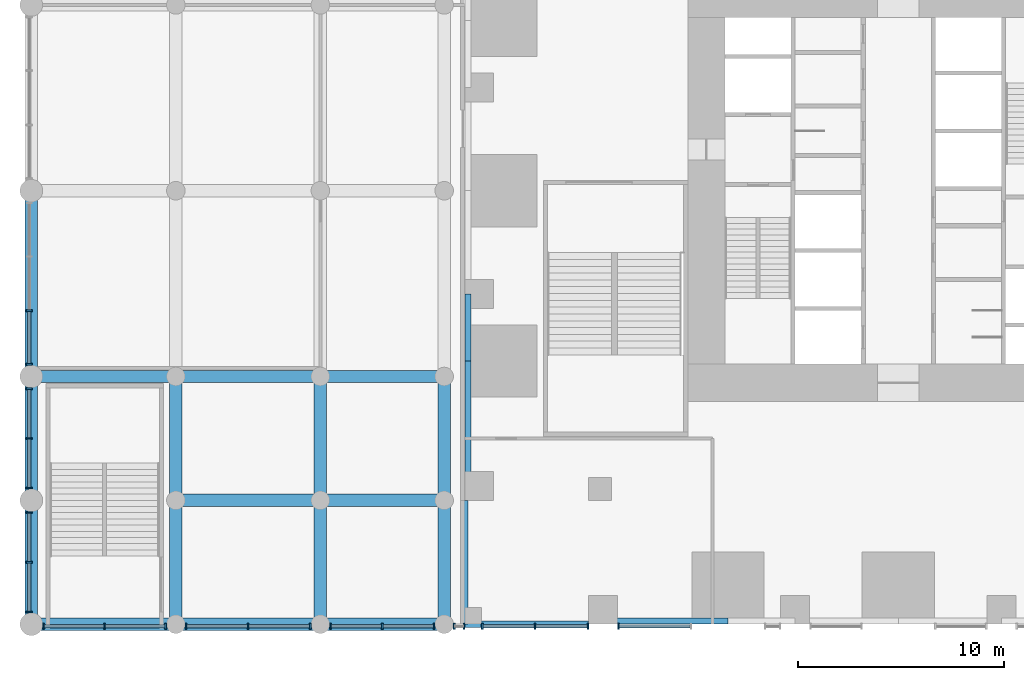
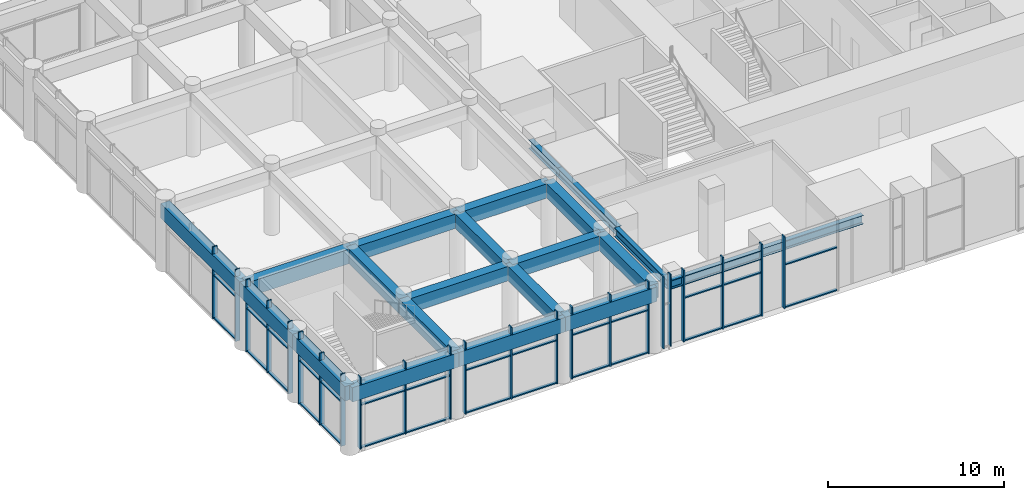
# One storey, part 2 of 23: 51 members, 22 beams, 9 elements without a shape of their own.
"""IFC4 building model written with IfcOpenShell, lengths in metres."""

from ifc_helpers import new_model, si_unit, direction, frame, origin, origin_2d, place, context, subcontext, project, spatial, rectangle, i_section, extrude, material, material_profile, profile_set, type_object, element, aggregate, save


model = new_model("IFC4")

# Units and contexts
model_context = context("Model", 3, precision=1e-05, world=origin(), true_north=direction((0.0, 1.0)))
body_context = subcontext(model_context, "Body", "Model", "MODEL_VIEW")
ifc_project = project(units=[si_unit("LENGTHUNIT", "METRE"), si_unit("AREAUNIT", "SQUARE_METRE"), si_unit("VOLUMEUNIT", "CUBIC_METRE"), si_unit("PLANEANGLEUNIT", "RADIAN"), si_unit("MASSUNIT", "GRAM", prefix="KILO")], contexts=[model_context])

# Site, building, storey
site_placement = place(None, origin())
site = spatial("IfcSite", under=ifc_project, at=site_placement, CompositionType="ELEMENT")
building_placement = place(site_placement, origin())
building = spatial("IfcBuilding", under=site, at=building_placement, Name="Svetlomir Tower", CompositionType="ELEMENT")
storey_placement = place(building_placement, frame((0.0, 0.0, 6.0)))
storey = spatial("IfcBuildingStorey", under=building, at=storey_placement, Name="L01", CompositionType="ELEMENT", Elevation=6.0)

# Curtain wall, members
ifc_material_1 = material(Name="Bronze anodised aluminium curtain wall", Category="aluminium")
curtain_wall_type = type_object("IfcCurtainWallType", Name="CURTAIN WALL CW5 PODIUM", PredefinedType="NOTDEFINED", material=ifc_material_1)
curtain_wall_1_placement = place(storey_placement, origin())
curtain_wall_1 = element("IfcCurtainWall", 1, at=curtain_wall_1_placement, inside=storey, type_object=curtain_wall_type, Name="Curtain wall CW5 L01", PredefinedType="NOTDEFINED")
ifc_material_2 = material(Name="Bronze anodised aluminium", Category="aluminium")
ifc_material_profile_1 = material_profile(ifc_material_2, rectangle(XDim=0.080078125, YDim=0.300048828125, at=origin_2d()), Name="AL 80x300")
ifc_profile_set_1 = profile_set([ifc_material_profile_1], Name="Bronze anodised aluminium 6063-T6")
member_type_1 = type_object("IfcMemberType", Name="CW5 MULLION 80x300", PredefinedType="MULLION", material=ifc_profile_set_1)
member_1_placement = place(storey_placement, frame((-20.409912109375, -0.10009765625, 0.0), z_axis=(0.0, 0.0, 1.0), x_axis=(1.0, 0.0, 0.0)))
member_1 = element("IfcMember", 2, at=member_1_placement, type_object=member_type_1, Name="CW5 mullion 1", PredefinedType="MULLION", context=body_context, shape_type="SweptSolid", body=[
    extrude(rectangle(XDim=0.080078125, YDim=0.300048828125, at=origin_2d()), origin(), (0.0, 0.0, 1.0), 5.0),
])
member_2_placement = place(storey_placement, frame((-17.449951171875, -0.10009765625, 0.0), z_axis=(0.0, 0.0, 1.0), x_axis=(1.0, 0.0, 0.0)))
member_2 = element("IfcMember", 3, at=member_2_placement, type_object=member_type_1, Name="CW5 mullion 2", PredefinedType="MULLION", context=body_context, shape_type="SweptSolid", body=[
    extrude(rectangle(XDim=0.080078125, YDim=0.300048828125, at=origin_2d()), origin(), (0.0, 0.0, 1.0), 5.0),
])
member_3_placement = place(storey_placement, frame((-14.489990234375, -0.10009765625, 0.0), z_axis=(0.0, 0.0, 1.0), x_axis=(1.0, 0.0, 0.0)))
member_3 = element("IfcMember", 4, at=member_3_placement, type_object=member_type_1, Name="CW5 mullion 3", PredefinedType="MULLION", context=body_context, shape_type="SweptSolid", body=[
    extrude(rectangle(XDim=0.080078125, YDim=0.300048828125, at=origin_2d()), origin(), (0.0, 0.0, 1.0), 5.0),
])

curtain_wall_2_placement = place(storey_placement, origin())
curtain_wall_2 = element("IfcCurtainWall", 5, at=curtain_wall_2_placement, inside=storey, type_object=curtain_wall_type, Name="Curtain wall CW5 L01", PredefinedType="NOTDEFINED")
member_4_placement = place(storey_placement, frame((-13.510009765625, -0.10009765625, 0.0), z_axis=(0.0, 0.0, 1.0), x_axis=(1.0, 0.0, 0.0)))
member_4 = element("IfcMember", 6, at=member_4_placement, type_object=member_type_1, Name="CW5 mullion 1", PredefinedType="MULLION", context=body_context, shape_type="SweptSolid", body=[
    extrude(rectangle(XDim=0.080078125, YDim=0.300048828125, at=origin_2d()), origin(), (0.0, 0.0, 1.0), 5.0),
])
member_5_placement = place(storey_placement, frame((-10.5, -0.10009765625, 0.0), z_axis=(0.0, 0.0, 1.0), x_axis=(1.0, 0.0, 0.0)))
member_5 = element("IfcMember", 7, at=member_5_placement, type_object=member_type_1, Name="CW5 mullion 2", PredefinedType="MULLION", context=body_context, shape_type="SweptSolid", body=[
    extrude(rectangle(XDim=0.080078125, YDim=0.300048828125, at=origin_2d()), origin(), (0.0, 0.0, 1.0), 5.0),
])
member_6_placement = place(storey_placement, frame((-7.489990234375, -0.10009765625, 0.0), z_axis=(0.0, 0.0, 1.0), x_axis=(1.0, 0.0, 0.0)))
member_6 = element("IfcMember", 8, at=member_6_placement, type_object=member_type_1, Name="CW5 mullion 3", PredefinedType="MULLION", context=body_context, shape_type="SweptSolid", body=[
    extrude(rectangle(XDim=0.080078125, YDim=0.300048828125, at=origin_2d()), origin(), (0.0, 0.0, 1.0), 5.0),
])

curtain_wall_3_placement = place(storey_placement, origin())
curtain_wall_3 = element("IfcCurtainWall", 9, at=curtain_wall_3_placement, inside=storey, type_object=curtain_wall_type, Name="Curtain wall CW5 L01", PredefinedType="NOTDEFINED")
member_7_placement = place(storey_placement, frame((-6.510009765625, -0.10009765625, 0.0), z_axis=(0.0, 0.0, 1.0), x_axis=(1.0, 0.0, 0.0)))
member_7 = element("IfcMember", 10, at=member_7_placement, type_object=member_type_1, Name="CW5 mullion 1", PredefinedType="MULLION", context=body_context, shape_type="SweptSolid", body=[
    extrude(rectangle(XDim=0.080078125, YDim=0.300048828125, at=origin_2d()), origin(), (0.0, 0.0, 1.0), 5.0),
])
member_8_placement = place(storey_placement, frame((-4.0, -0.10009765625, 0.0), z_axis=(0.0, 0.0, 1.0), x_axis=(1.0, 0.0, 0.0)))
member_8 = element("IfcMember", 11, at=member_8_placement, type_object=member_type_1, Name="CW5 mullion 2", PredefinedType="MULLION", context=body_context, shape_type="SweptSolid", body=[
    extrude(rectangle(XDim=0.080078125, YDim=0.300048828125, at=origin_2d()), origin(), (0.0, 0.0, 1.0), 5.0),
])
member_9_placement = place(storey_placement, frame((-1.489990234375, -0.10009765625, 0.0), z_axis=(0.0, 0.0, 1.0), x_axis=(1.0, 0.0, 0.0)))
member_9 = element("IfcMember", 12, at=member_9_placement, type_object=member_type_1, Name="CW5 mullion 3", PredefinedType="MULLION", context=body_context, shape_type="SweptSolid", body=[
    extrude(rectangle(XDim=0.080078125, YDim=0.300048828125, at=origin_2d()), origin(), (0.0, 0.0, 1.0), 5.0),
])

curtain_wall_4_placement = place(storey_placement, origin())
curtain_wall_4 = element("IfcCurtainWall", 13, at=curtain_wall_4_placement, inside=storey, type_object=curtain_wall_type, Name="Curtain wall CW5 L01", PredefinedType="NOTDEFINED")
member_10_placement = place(storey_placement, frame((-0.510009765625, -0.10009765625, 0.0), z_axis=(0.0, 0.0, 1.0), x_axis=(1.0, 0.0, 0.0)))
member_10 = element("IfcMember", 14, at=member_10_placement, type_object=member_type_1, Name="CW5 mullion 1", PredefinedType="MULLION", context=body_context, shape_type="SweptSolid", body=[
    extrude(rectangle(XDim=0.080078125, YDim=0.300048828125, at=origin_2d()), origin(), (0.0, 0.0, 1.0), 5.0),
])
member_11_placement = place(storey_placement, frame((-0.0400390625, -0.10009765625, 0.0), z_axis=(0.0, 0.0, 1.0), x_axis=(1.0, 0.0, 0.0)))
member_11 = element("IfcMember", 15, at=member_11_placement, type_object=member_type_1, Name="CW5 mullion 2", PredefinedType="MULLION", context=body_context, shape_type="SweptSolid", body=[
    extrude(rectangle(XDim=0.080078125, YDim=0.300048828125, at=origin_2d()), origin(), (0.0, 0.0, 1.0), 5.0),
])
aggregate(curtain_wall_4, [member_10, member_11])

curtain_wall_5_placement = place(storey_placement, origin())
curtain_wall_5 = element("IfcCurtainWall", 16, at=curtain_wall_5_placement, inside=storey, type_object=curtain_wall_type, Name="Curtain wall CW5 L01", PredefinedType="NOTDEFINED")
member_12_placement = place(storey_placement, frame((0.840087890625, -0.10009765625, 0.0), z_axis=(0.0, 0.0, 1.0), x_axis=(1.0, 0.0, 0.0)))
member_12 = element("IfcMember", 17, at=member_12_placement, type_object=member_type_1, Name="CW5 mullion 1", PredefinedType="MULLION", context=body_context, shape_type="SweptSolid", body=[
    extrude(rectangle(XDim=0.080078125, YDim=0.300048828125, at=origin_2d()), origin(), (0.0, 0.0, 1.0), 5.0),
])
member_13_placement = place(storey_placement, frame((3.39990234375, -0.10009765625, 0.0), z_axis=(0.0, 0.0, 1.0), x_axis=(1.0, 0.0, 0.0)))
member_13 = element("IfcMember", 18, at=member_13_placement, type_object=member_type_1, Name="CW5 mullion 2", PredefinedType="MULLION", context=body_context, shape_type="SweptSolid", body=[
    extrude(rectangle(XDim=0.080078125, YDim=0.300048828125, at=origin_2d()), origin(), (0.0, 0.0, 1.0), 5.0),
])
member_14_placement = place(storey_placement, frame((5.9599609375, -0.10009765625, 0.0), z_axis=(0.0, 0.0, 1.0), x_axis=(1.0, 0.0, 0.0)))
member_14 = element("IfcMember", 19, at=member_14_placement, type_object=member_type_1, Name="CW5 mullion 3", PredefinedType="MULLION", context=body_context, shape_type="SweptSolid", body=[
    extrude(rectangle(XDim=0.080078125, YDim=0.300048828125, at=origin_2d()), origin(), (0.0, 0.0, 1.0), 5.0),
])

# Curtain wall, member
curtain_wall_6_placement = place(storey_placement, origin())
curtain_wall_6 = element("IfcCurtainWall", 20, at=curtain_wall_6_placement, inside=storey, type_object=curtain_wall_type, Name="Curtain wall CW5 L01", PredefinedType="NOTDEFINED")
member_15_placement = place(storey_placement, frame((7.43994140625, -0.10009765625, 0.0), z_axis=(0.0, 0.0, 1.0), x_axis=(1.0, 0.0, 0.0)))
member_15 = element("IfcMember", 21, at=member_15_placement, type_object=member_type_1, Name="CW5 mullion 1", PredefinedType="MULLION", context=body_context, shape_type="SweptSolid", body=[
    extrude(rectangle(XDim=0.080078125, YDim=0.300048828125, at=origin_2d()), origin(), (0.0, 0.0, 1.0), 5.0),
])

# Curtain wall, members
curtain_wall_7_placement = place(storey_placement, origin())
curtain_wall_7 = element("IfcCurtainWall", 22, at=curtain_wall_7_placement, inside=storey, type_object=curtain_wall_type, Name="Curtain wall CW5 L01", PredefinedType="NOTDEFINED")
member_16_placement = place(storey_placement, frame((-21.10009765625, 15.183349609375, 0.0), z_axis=(0.0, 0.0, 1.0), x_axis=(0.0, -1.0, 0.0)))
member_16 = element("IfcMember", 23, at=member_16_placement, type_object=member_type_1, Name="CW5 mullion 3", PredefinedType="MULLION", context=body_context, shape_type="SweptSolid", body=[
    extrude(rectangle(XDim=0.080078125, YDim=0.300048828125, at=origin_2d()), origin(), (0.0, 0.0, 1.0), 5.0),
])
member_17_placement = place(storey_placement, frame((-21.10009765625, 12.590087890625, 0.0), z_axis=(0.0, 0.0, 1.0), x_axis=(0.0, -1.0, 0.0)))
member_17 = element("IfcMember", 24, at=member_17_placement, type_object=member_type_1, Name="CW5 mullion 4", PredefinedType="MULLION", context=body_context, shape_type="SweptSolid", body=[
    extrude(rectangle(XDim=0.080078125, YDim=0.300048828125, at=origin_2d()), origin(), (0.0, 0.0, 1.0), 5.0),
])

curtain_wall_8_placement = place(storey_placement, origin())
curtain_wall_8 = element("IfcCurtainWall", 25, at=curtain_wall_8_placement, inside=storey, type_object=curtain_wall_type, Name="Curtain wall CW5 L01", PredefinedType="NOTDEFINED")
member_18_placement = place(storey_placement, frame((-21.10009765625, 11.409912109375, 0.0), z_axis=(0.0, 0.0, 1.0), x_axis=(0.0, -1.0, 0.0)))
member_18 = element("IfcMember", 26, at=member_18_placement, type_object=member_type_1, Name="CW5 mullion 1", PredefinedType="MULLION", context=body_context, shape_type="SweptSolid", body=[
    extrude(rectangle(XDim=0.080078125, YDim=0.300048828125, at=origin_2d()), origin(), (0.0, 0.0, 1.0), 5.0),
])
member_19_placement = place(storey_placement, frame((-21.10009765625, 9.0, 0.0), z_axis=(0.0, 0.0, 1.0), x_axis=(0.0, -1.0, 0.0)))
member_19 = element("IfcMember", 27, at=member_19_placement, type_object=member_type_1, Name="CW5 mullion 2", PredefinedType="MULLION", context=body_context, shape_type="SweptSolid", body=[
    extrude(rectangle(XDim=0.080078125, YDim=0.300048828125, at=origin_2d()), origin(), (0.0, 0.0, 1.0), 5.0),
])
member_20_placement = place(storey_placement, frame((-21.10009765625, 6.590087890625, 0.0), z_axis=(0.0, 0.0, 1.0), x_axis=(0.0, -1.0, 0.0)))
member_20 = element("IfcMember", 28, at=member_20_placement, type_object=member_type_1, Name="CW5 mullion 3", PredefinedType="MULLION", context=body_context, shape_type="SweptSolid", body=[
    extrude(rectangle(XDim=0.080078125, YDim=0.300048828125, at=origin_2d()), origin(), (0.0, 0.0, 1.0), 5.0),
])

curtain_wall_9_placement = place(storey_placement, origin())
curtain_wall_9 = element("IfcCurtainWall", 29, at=curtain_wall_9_placement, inside=storey, type_object=curtain_wall_type, Name="Curtain wall CW5 L01", PredefinedType="NOTDEFINED")
member_21_placement = place(storey_placement, frame((-21.10009765625, 5.409912109375, 0.0), z_axis=(0.0, 0.0, 1.0), x_axis=(0.0, -1.0, 0.0)))
member_21 = element("IfcMember", 30, at=member_21_placement, type_object=member_type_1, Name="CW5 mullion 1", PredefinedType="MULLION", context=body_context, shape_type="SweptSolid", body=[
    extrude(rectangle(XDim=0.080078125, YDim=0.300048828125, at=origin_2d()), origin(), (0.0, 0.0, 1.0), 5.0),
])
member_22_placement = place(storey_placement, frame((-21.10009765625, 3.0, 0.0), z_axis=(0.0, 0.0, 1.0), x_axis=(0.0, -1.0, 0.0)))
member_22 = element("IfcMember", 31, at=member_22_placement, type_object=member_type_1, Name="CW5 mullion 2", PredefinedType="MULLION", context=body_context, shape_type="SweptSolid", body=[
    extrude(rectangle(XDim=0.080078125, YDim=0.300048828125, at=origin_2d()), origin(), (0.0, 0.0, 1.0), 5.0),
])
member_23_placement = place(storey_placement, frame((-21.10009765625, 0.590087890625, 0.0), z_axis=(0.0, 0.0, 1.0), x_axis=(0.0, -1.0, 0.0)))
member_23 = element("IfcMember", 32, at=member_23_placement, type_object=member_type_1, Name="CW5 mullion 3", PredefinedType="MULLION", context=body_context, shape_type="SweptSolid", body=[
    extrude(rectangle(XDim=0.080078125, YDim=0.300048828125, at=origin_2d()), origin(), (0.0, 0.0, 1.0), 5.0),
])

# Member
ifc_material_3 = material(Name="Bronze anodised aluminium", Category="aluminium")
ifc_material_profile_2 = material_profile(ifc_material_3, rectangle(XDim=0.179931640625, YDim=0.080078125, at=origin_2d()), Name="AL 180x80")
ifc_profile_set_2 = profile_set([ifc_material_profile_2], Name="Bronze anodised aluminium 6063-T6")
member_type_2 = type_object("IfcMemberType", Name="CW5 TRANSOM 80x180", PredefinedType="USERDEFINED", material=ifc_profile_set_2)
member_24_placement = place(storey_placement, frame((-20.3701171875, -0.10009765625, 0.0400390625), z_axis=(1.0, 0.0, 0.0), x_axis=(0.0, 1.0, 0.0)))
member_24 = element("IfcMember", 33, at=member_24_placement, type_object=member_type_2, Name="CW5 transom 1.1", ObjectType="TRANSOM", PredefinedType="USERDEFINED", context=body_context, shape_type="SweptSolid", body=[
    extrude(rectangle(XDim=0.179931640625, YDim=0.080078125, at=origin_2d()), origin(), (0.0, 0.0, 1.0), 2.880126953125),
])

member_25_placement = place(storey_placement, frame((-20.3701171875, -0.10009765625, 3.0), z_axis=(1.0, 0.0, 0.0), x_axis=(0.0, 1.0, 0.0)))
member_25 = element("IfcMember", 34, at=member_25_placement, type_object=member_type_2, Name="CW5 transom 1.2", ObjectType="TRANSOM", PredefinedType="USERDEFINED", context=body_context, shape_type="SweptSolid", body=[
    extrude(rectangle(XDim=0.179931640625, YDim=0.080078125, at=origin_2d()), origin(), (0.0, 0.0, 1.0), 2.880126953125),
])

member_26_placement = place(storey_placement, frame((-17.409912109375, -0.10009765625, 0.0400390625), z_axis=(1.0, 0.0, 0.0), x_axis=(0.0, 1.0, 0.0)))
member_26 = element("IfcMember", 35, at=member_26_placement, type_object=member_type_2, Name="CW5 transom 2.1", ObjectType="TRANSOM", PredefinedType="USERDEFINED", context=body_context, shape_type="SweptSolid", body=[
    extrude(rectangle(XDim=0.179931640625, YDim=0.080078125, at=origin_2d()), origin(), (0.0, 0.0, 1.0), 2.8798828125),
])

member_27_placement = place(storey_placement, frame((-17.409912109375, -0.10009765625, 3.0), z_axis=(1.0, 0.0, 0.0), x_axis=(0.0, 1.0, 0.0)))
member_27 = element("IfcMember", 36, at=member_27_placement, type_object=member_type_2, Name="CW5 transom 2.2", ObjectType="TRANSOM", PredefinedType="USERDEFINED", context=body_context, shape_type="SweptSolid", body=[
    extrude(rectangle(XDim=0.179931640625, YDim=0.080078125, at=origin_2d()), origin(), (0.0, 0.0, 1.0), 2.8798828125),
])

aggregate(curtain_wall_1, [member_1, member_2, member_3, member_24, member_25, member_26, member_27])

member_28_placement = place(storey_placement, frame((-13.469970703125, -0.10009765625, 0.0400390625), z_axis=(1.0, 0.0, 0.0), x_axis=(0.0, 1.0, 0.0)))
member_28 = element("IfcMember", 37, at=member_28_placement, type_object=member_type_2, Name="CW5 transom 1.1", ObjectType="TRANSOM", PredefinedType="USERDEFINED", context=body_context, shape_type="SweptSolid", body=[
    extrude(rectangle(XDim=0.179931640625, YDim=0.080078125, at=origin_2d()), origin(), (0.0, 0.0, 1.0), 2.929931640625),
])

member_29_placement = place(storey_placement, frame((-13.469970703125, -0.10009765625, 3.0), z_axis=(1.0, 0.0, 0.0), x_axis=(0.0, 1.0, 0.0)))
member_29 = element("IfcMember", 38, at=member_29_placement, type_object=member_type_2, Name="CW5 transom 1.2", ObjectType="TRANSOM", PredefinedType="USERDEFINED", context=body_context, shape_type="SweptSolid", body=[
    extrude(rectangle(XDim=0.179931640625, YDim=0.080078125, at=origin_2d()), origin(), (0.0, 0.0, 1.0), 2.929931640625),
])

member_30_placement = place(storey_placement, frame((-10.4599609375, -0.10009765625, 0.0400390625), z_axis=(1.0, 0.0, 0.0), x_axis=(0.0, 1.0, 0.0)))
member_30 = element("IfcMember", 39, at=member_30_placement, type_object=member_type_2, Name="CW5 transom 2.1", ObjectType="TRANSOM", PredefinedType="USERDEFINED", context=body_context, shape_type="SweptSolid", body=[
    extrude(rectangle(XDim=0.179931640625, YDim=0.080078125, at=origin_2d()), origin(), (0.0, 0.0, 1.0), 2.929931640625),
])

member_31_placement = place(storey_placement, frame((-10.4599609375, -0.10009765625, 3.0), z_axis=(1.0, 0.0, 0.0), x_axis=(0.0, 1.0, 0.0)))
member_31 = element("IfcMember", 40, at=member_31_placement, type_object=member_type_2, Name="CW5 transom 2.2", ObjectType="TRANSOM", PredefinedType="USERDEFINED", context=body_context, shape_type="SweptSolid", body=[
    extrude(rectangle(XDim=0.179931640625, YDim=0.080078125, at=origin_2d()), origin(), (0.0, 0.0, 1.0), 2.929931640625),
])

aggregate(curtain_wall_2, [member_4, member_5, member_6, member_28, member_29, member_30, member_31])

member_32_placement = place(storey_placement, frame((-6.469970703125, -0.10009765625, 0.0400390625), z_axis=(1.0, 0.0, 0.0), x_axis=(0.0, 1.0, 0.0)))
member_32 = element("IfcMember", 41, at=member_32_placement, type_object=member_type_2, Name="CW5 transom 1.1", ObjectType="TRANSOM", PredefinedType="USERDEFINED", context=body_context, shape_type="SweptSolid", body=[
    extrude(rectangle(XDim=0.179931640625, YDim=0.080078125, at=origin_2d()), origin(), (0.0, 0.0, 1.0), 2.429931640625),
])

member_33_placement = place(storey_placement, frame((-6.469970703125, -0.10009765625, 3.0), z_axis=(1.0, 0.0, 0.0), x_axis=(0.0, 1.0, 0.0)))
member_33 = element("IfcMember", 42, at=member_33_placement, type_object=member_type_2, Name="CW5 transom 1.2", ObjectType="TRANSOM", PredefinedType="USERDEFINED", context=body_context, shape_type="SweptSolid", body=[
    extrude(rectangle(XDim=0.179931640625, YDim=0.080078125, at=origin_2d()), origin(), (0.0, 0.0, 1.0), 2.429931640625),
])

member_34_placement = place(storey_placement, frame((-3.9599609375, -0.10009765625, 0.0400390625), z_axis=(1.0, 0.0, 0.0), x_axis=(0.0, 1.0, 0.0)))
member_34 = element("IfcMember", 43, at=member_34_placement, type_object=member_type_2, Name="CW5 transom 2.1", ObjectType="TRANSOM", PredefinedType="USERDEFINED", context=body_context, shape_type="SweptSolid", body=[
    extrude(rectangle(XDim=0.179931640625, YDim=0.080078125, at=origin_2d()), origin(), (0.0, 0.0, 1.0), 2.429931640625),
])

member_35_placement = place(storey_placement, frame((-3.9599609375, -0.10009765625, 3.0), z_axis=(1.0, 0.0, 0.0), x_axis=(0.0, 1.0, 0.0)))
member_35 = element("IfcMember", 44, at=member_35_placement, type_object=member_type_2, Name="CW5 transom 2.2", ObjectType="TRANSOM", PredefinedType="USERDEFINED", context=body_context, shape_type="SweptSolid", body=[
    extrude(rectangle(XDim=0.179931640625, YDim=0.080078125, at=origin_2d()), origin(), (0.0, 0.0, 1.0), 2.429931640625),
])

aggregate(curtain_wall_3, [member_7, member_8, member_9, member_32, member_33, member_34, member_35])

member_36_placement = place(storey_placement, frame((0.8798828125, -0.10009765625, 0.0400390625), z_axis=(1.0, 0.0, 0.0), x_axis=(0.0, 1.0, 0.0)))
member_36 = element("IfcMember", 45, at=member_36_placement, type_object=member_type_2, Name="CW5 transom 1.1", ObjectType="TRANSOM", PredefinedType="USERDEFINED", context=body_context, shape_type="SweptSolid", body=[
    extrude(rectangle(XDim=0.179931640625, YDim=0.080078125, at=origin_2d()), origin(), (0.0, 0.0, 1.0), 2.480224609375),
])

member_37_placement = place(storey_placement, frame((0.8798828125, -0.10009765625, 3.0), z_axis=(1.0, 0.0, 0.0), x_axis=(0.0, 1.0, 0.0)))
member_37 = element("IfcMember", 46, at=member_37_placement, type_object=member_type_2, Name="CW5 transom 1.2", ObjectType="TRANSOM", PredefinedType="USERDEFINED", context=body_context, shape_type="SweptSolid", body=[
    extrude(rectangle(XDim=0.179931640625, YDim=0.080078125, at=origin_2d()), origin(), (0.0, 0.0, 1.0), 2.480224609375),
])

member_38_placement = place(storey_placement, frame((3.43994140625, -0.10009765625, 0.0400390625), z_axis=(1.0, 0.0, 0.0), x_axis=(0.0, 1.0, 0.0)))
member_38 = element("IfcMember", 47, at=member_38_placement, type_object=member_type_2, Name="CW5 transom 2.1", ObjectType="TRANSOM", PredefinedType="USERDEFINED", context=body_context, shape_type="SweptSolid", body=[
    extrude(rectangle(XDim=0.179931640625, YDim=0.080078125, at=origin_2d()), origin(), (0.0, 0.0, 1.0), 2.47998046875),
])

member_39_placement = place(storey_placement, frame((3.43994140625, -0.10009765625, 3.0), z_axis=(1.0, 0.0, 0.0), x_axis=(0.0, 1.0, 0.0)))
member_39 = element("IfcMember", 48, at=member_39_placement, type_object=member_type_2, Name="CW5 transom 2.2", ObjectType="TRANSOM", PredefinedType="USERDEFINED", context=body_context, shape_type="SweptSolid", body=[
    extrude(rectangle(XDim=0.179931640625, YDim=0.080078125, at=origin_2d()), origin(), (0.0, 0.0, 1.0), 2.47998046875),
])

aggregate(curtain_wall_5, [member_12, member_13, member_14, member_36, member_37, member_38, member_39])

member_40_placement = place(storey_placement, frame((7.47998046875, -0.10009765625, 0.0400390625), z_axis=(1.0, 0.0, 0.0), x_axis=(0.0, 1.0, 0.0)))
member_40 = element("IfcMember", 49, at=member_40_placement, type_object=member_type_2, Name="CW5 transom 1.1", ObjectType="TRANSOM", PredefinedType="USERDEFINED", context=body_context, shape_type="SweptSolid", body=[
    extrude(rectangle(XDim=0.179931640625, YDim=0.080078125, at=origin_2d()), origin(), (0.0, 0.0, 1.0), 3.43994140625),
])

member_41_placement = place(storey_placement, frame((7.47998046875, -0.10009765625, 3.0), z_axis=(1.0, 0.0, 0.0), x_axis=(0.0, 1.0, 0.0)))
member_41 = element("IfcMember", 50, at=member_41_placement, type_object=member_type_2, Name="CW5 transom 1.2", ObjectType="TRANSOM", PredefinedType="USERDEFINED", context=body_context, shape_type="SweptSolid", body=[
    extrude(rectangle(XDim=0.179931640625, YDim=0.080078125, at=origin_2d()), origin(), (0.0, 0.0, 1.0), 3.43994140625),
])

aggregate(curtain_wall_6, [member_15, member_40, member_41])

member_42_placement = place(storey_placement, frame((-21.10009765625, 15.143310546875, 0.0400390625), z_axis=(0.0, -1.0, 0.0), x_axis=(1.0, 0.0, 0.0)))
member_42 = element("IfcMember", 51, at=member_42_placement, type_object=member_type_2, Name="CW5 transom 3.1", ObjectType="TRANSOM", PredefinedType="USERDEFINED", context=body_context, shape_type="SweptSolid", body=[
    extrude(rectangle(XDim=0.179931640625, YDim=0.080078125, at=origin_2d()), origin(), (0.0, 0.0, 1.0), 2.513427734375),
])

member_43_placement = place(storey_placement, frame((-21.10009765625, 15.143310546875, 3.0), z_axis=(0.0, -1.0, 0.0), x_axis=(1.0, 0.0, 0.0)))
member_43 = element("IfcMember", 52, at=member_43_placement, type_object=member_type_2, Name="CW5 transom 3.2", ObjectType="TRANSOM", PredefinedType="USERDEFINED", context=body_context, shape_type="SweptSolid", body=[
    extrude(rectangle(XDim=0.179931640625, YDim=0.080078125, at=origin_2d()), origin(), (0.0, 0.0, 1.0), 2.513427734375),
])

aggregate(curtain_wall_7, [member_16, member_17, member_42, member_43])

member_44_placement = place(storey_placement, frame((-21.10009765625, 11.3701171875, 0.0400390625), z_axis=(0.0, -1.0, 0.0), x_axis=(1.0, 0.0, 0.0)))
member_44 = element("IfcMember", 53, at=member_44_placement, type_object=member_type_2, Name="CW5 transom 1.1", ObjectType="TRANSOM", PredefinedType="USERDEFINED", context=body_context, shape_type="SweptSolid", body=[
    extrude(rectangle(XDim=0.179931640625, YDim=0.080078125, at=origin_2d()), origin(), (0.0, 0.0, 1.0), 2.330078125),
])

member_45_placement = place(storey_placement, frame((-21.10009765625, 11.3701171875, 3.0), z_axis=(0.0, -1.0, 0.0), x_axis=(1.0, 0.0, 0.0)))
member_45 = element("IfcMember", 54, at=member_45_placement, type_object=member_type_2, Name="CW5 transom 1.2", ObjectType="TRANSOM", PredefinedType="USERDEFINED", context=body_context, shape_type="SweptSolid", body=[
    extrude(rectangle(XDim=0.179931640625, YDim=0.080078125, at=origin_2d()), origin(), (0.0, 0.0, 1.0), 2.330078125),
])

member_46_placement = place(storey_placement, frame((-21.10009765625, 8.9599609375, 0.0400390625), z_axis=(0.0, -1.0, 0.0), x_axis=(1.0, 0.0, 0.0)))
member_46 = element("IfcMember", 55, at=member_46_placement, type_object=member_type_2, Name="CW5 transom 2.1", ObjectType="TRANSOM", PredefinedType="USERDEFINED", context=body_context, shape_type="SweptSolid", body=[
    extrude(rectangle(XDim=0.179931640625, YDim=0.080078125, at=origin_2d()), origin(), (0.0, 0.0, 1.0), 2.330078125),
])

member_47_placement = place(storey_placement, frame((-21.10009765625, 8.9599609375, 3.0), z_axis=(0.0, -1.0, 0.0), x_axis=(1.0, 0.0, 0.0)))
member_47 = element("IfcMember", 56, at=member_47_placement, type_object=member_type_2, Name="CW5 transom 2.2", ObjectType="TRANSOM", PredefinedType="USERDEFINED", context=body_context, shape_type="SweptSolid", body=[
    extrude(rectangle(XDim=0.179931640625, YDim=0.080078125, at=origin_2d()), origin(), (0.0, 0.0, 1.0), 2.330078125),
])

aggregate(curtain_wall_8, [member_18, member_19, member_20, member_44, member_45, member_46, member_47])

member_48_placement = place(storey_placement, frame((-21.10009765625, 5.3701171875, 0.0400390625), z_axis=(0.0, -1.0, 0.0), x_axis=(1.0, 0.0, 0.0)))
member_48 = element("IfcMember", 57, at=member_48_placement, type_object=member_type_2, Name="CW5 transom 1.1", ObjectType="TRANSOM", PredefinedType="USERDEFINED", context=body_context, shape_type="SweptSolid", body=[
    extrude(rectangle(XDim=0.179931640625, YDim=0.080078125, at=origin_2d()), origin(), (0.0, 0.0, 1.0), 2.330078125),
])

member_49_placement = place(storey_placement, frame((-21.10009765625, 5.3701171875, 3.0), z_axis=(0.0, -1.0, 0.0), x_axis=(1.0, 0.0, 0.0)))
member_49 = element("IfcMember", 58, at=member_49_placement, type_object=member_type_2, Name="CW5 transom 1.2", ObjectType="TRANSOM", PredefinedType="USERDEFINED", context=body_context, shape_type="SweptSolid", body=[
    extrude(rectangle(XDim=0.179931640625, YDim=0.080078125, at=origin_2d()), origin(), (0.0, 0.0, 1.0), 2.330078125),
])

member_50_placement = place(storey_placement, frame((-21.10009765625, 2.9599609375, 0.0400390625), z_axis=(0.0, -1.0, 0.0), x_axis=(1.0, 0.0, 0.0)))
member_50 = element("IfcMember", 59, at=member_50_placement, type_object=member_type_2, Name="CW5 transom 2.1", ObjectType="TRANSOM", PredefinedType="USERDEFINED", context=body_context, shape_type="SweptSolid", body=[
    extrude(rectangle(XDim=0.179931640625, YDim=0.080078125, at=origin_2d()), origin(), (0.0, 0.0, 1.0), 2.330078125),
])

member_51_placement = place(storey_placement, frame((-21.10009765625, 2.9599609375, 3.0), z_axis=(0.0, -1.0, 0.0), x_axis=(1.0, 0.0, 0.0)))
member_51 = element("IfcMember", 60, at=member_51_placement, type_object=member_type_2, Name="CW5 transom 2.2", ObjectType="TRANSOM", PredefinedType="USERDEFINED", context=body_context, shape_type="SweptSolid", body=[
    extrude(rectangle(XDim=0.179931640625, YDim=0.080078125, at=origin_2d()), origin(), (0.0, 0.0, 1.0), 2.330078125),
])

aggregate(curtain_wall_9, [member_21, member_22, member_23, member_48, member_49, member_50, member_51])

# Beams
ifc_material_4 = material(Name="Concrete C60/75", Category="concrete")
ifc_material_profile_3 = material_profile(ifc_material_4, rectangle(XDim=0.60009765625, YDim=1.0, at=origin_2d()), Name="RC 600x1000")
ifc_profile_set_3 = profile_set([ifc_material_profile_3], Name="Concrete C60/75")
beam_type_1 = type_object("IfcBeamType", Name="PODIUM BEAM RC 600x1000", PredefinedType="BEAM", material=ifc_profile_set_3)
beam_1_placement = place(storey_placement, frame((-21.0, 0.0, 4.0), z_axis=(0.0, 1.0, 0.0), x_axis=(-1.0, 0.0, 0.0)))
element("IfcBeam", 61, at=beam_1_placement, inside=storey, type_object=beam_type_1, Name="Podium beam -21/0 to -21/6 under L02", PredefinedType="BEAM", context=body_context, shape_type="SweptSolid", body=[
    extrude(rectangle(XDim=0.60009765625, YDim=1.0, at=origin_2d()), origin(), (0.0, 0.0, 1.0), 6.0),
])
beam_2_placement = place(storey_placement, frame((-21.0, 0.0, 4.0), z_axis=(1.0, 0.0, 0.0), x_axis=(0.0, 1.0, 0.0)))
element("IfcBeam", 62, at=beam_2_placement, inside=storey, type_object=beam_type_1, Name="Podium beam -21/0 to -14/0 under L02", PredefinedType="BEAM", context=body_context, shape_type="SweptSolid", body=[
    extrude(rectangle(XDim=0.60009765625, YDim=1.0, at=origin_2d()), origin(), (0.0, 0.0, 1.0), 7.0),
])
beam_3_placement = place(storey_placement, frame((-21.0, 6.0, 4.0), z_axis=(0.0, 1.0, 0.0), x_axis=(-1.0, 0.0, 0.0)))
element("IfcBeam", 63, at=beam_3_placement, inside=storey, type_object=beam_type_1, Name="Podium beam -21/6 to -21/12 under L02", PredefinedType="BEAM", context=body_context, shape_type="SweptSolid", body=[
    extrude(rectangle(XDim=0.60009765625, YDim=1.0, at=origin_2d()), origin(), (0.0, 0.0, 1.0), 6.0),
])
beam_4_placement = place(storey_placement, frame((-21.0, 12.0, 4.0), z_axis=(0.0, 1.0, 0.0), x_axis=(-1.0, 0.0, 0.0)))
element("IfcBeam", 64, at=beam_4_placement, inside=storey, type_object=beam_type_1, Name="Podium beam -21/12 to -21/21 under L02", PredefinedType="BEAM", context=body_context, shape_type="SweptSolid", body=[
    extrude(rectangle(XDim=0.60009765625, YDim=1.0, at=origin_2d()), origin(), (0.0, 0.0, 1.0), 9.0),
])
beam_5_placement = place(storey_placement, frame((-21.0, 12.0, 4.0), z_axis=(1.0, 0.0, 0.0), x_axis=(0.0, 1.0, 0.0)))
element("IfcBeam", 65, at=beam_5_placement, inside=storey, type_object=beam_type_1, Name="Podium beam -21/12 to -14/12 under L02", PredefinedType="BEAM", context=body_context, shape_type="SweptSolid", body=[
    extrude(rectangle(XDim=0.60009765625, YDim=1.0, at=origin_2d()), origin(), (0.0, 0.0, 1.0), 7.0),
])
beam_6_placement = place(storey_placement, frame((-14.0, 0.0, 4.0), z_axis=(0.0, 1.0, 0.0), x_axis=(-1.0, 0.0, 0.0)))
element("IfcBeam", 66, at=beam_6_placement, inside=storey, type_object=beam_type_1, Name="Podium beam -14/0 to -14/6 under L02", PredefinedType="BEAM", context=body_context, shape_type="SweptSolid", body=[
    extrude(rectangle(XDim=0.60009765625, YDim=1.0, at=origin_2d()), origin(), (0.0, 0.0, 1.0), 6.0),
])
beam_7_placement = place(storey_placement, frame((-14.0, 0.0, 4.0), z_axis=(1.0, 0.0, 0.0), x_axis=(0.0, 1.0, 0.0)))
element("IfcBeam", 67, at=beam_7_placement, inside=storey, type_object=beam_type_1, Name="Podium beam -14/0 to -7/0 under L02", PredefinedType="BEAM", context=body_context, shape_type="SweptSolid", body=[
    extrude(rectangle(XDim=0.60009765625, YDim=1.0, at=origin_2d()), origin(), (0.0, 0.0, 1.0), 7.0),
])
beam_8_placement = place(storey_placement, frame((-14.0, 6.0, 4.0), z_axis=(0.0, 1.0, 0.0), x_axis=(-1.0, 0.0, 0.0)))
element("IfcBeam", 68, at=beam_8_placement, inside=storey, type_object=beam_type_1, Name="Podium beam -14/6 to -14/12 under L02", PredefinedType="BEAM", context=body_context, shape_type="SweptSolid", body=[
    extrude(rectangle(XDim=0.60009765625, YDim=1.0, at=origin_2d()), origin(), (0.0, 0.0, 1.0), 6.0),
])
for number, where, z_axis, x_axis, name in (
    (69, (-14.0, 6.0, 4.0), (1.0, 0.0, 0.0), (0.0, 1.0, 0.0), "Podium beam -14/6 to -7/6 under L02"),
    (70, (-14.0, 12.0, 4.0), (1.0, 0.0, 0.0), (0.0, 1.0, 0.0), "Podium beam -14/12 to -7/12 under L02"),
):
    element("IfcBeam", number, at=place(storey_placement, frame(where, z_axis=z_axis, x_axis=x_axis)), inside=storey, type_object=beam_type_1, Name=name, PredefinedType="BEAM", context=body_context, shape_type="SweptSolid", body=[
        extrude(rectangle(XDim=0.60009765625, YDim=1.0, at=origin_2d()), origin(), (0.0, 0.0, 1.0), 7.0),
    ])
for number, where, z_axis, x_axis, name in (
    (71, (-7.0, 0.0, 4.0), (0.0, 1.0, 0.0), (-1.0, 0.0, 0.0), "Podium beam -7/0 to -7/6 under L02"),
    (72, (-7.0, 0.0, 4.0), (1.0, 0.0, 0.0), (0.0, 1.0, 0.0), "Podium beam -7/0 to -1/0 under L02"),
    (73, (-7.0, 6.0, 4.0), (0.0, 1.0, 0.0), (-1.0, 0.0, 0.0), "Podium beam -7/6 to -7/12 under L02"),
    (74, (-7.0, 6.0, 4.0), (1.0, 0.0, 0.0), (0.0, 1.0, 0.0), "Podium beam -7/6 to -1/6 under L02"),
    (75, (-7.0, 12.0, 4.0), (1.0, 0.0, 0.0), (0.0, 1.0, 0.0), "Podium beam -7/12 to -1/12 under L02"),
    (76, (-1.0, 0.0, 4.0), (0.0, 1.0, 0.0), (-1.0, 0.0, 0.0), "Podium beam -1/0 to -1/6 under L02"),
    (77, (-1.0, 6.0, 4.0), (0.0, 1.0, 0.0), (-1.0, 0.0, 0.0), "Podium beam -1/6 to -1/12 under L02"),
):
    element("IfcBeam", number, at=place(storey_placement, frame(where, z_axis=z_axis, x_axis=x_axis)), inside=storey, type_object=beam_type_1, Name=name, PredefinedType="BEAM", context=body_context, shape_type="SweptSolid", body=[
        extrude(rectangle(XDim=0.60009765625, YDim=1.0, at=origin_2d()), origin(), (0.0, 0.0, 1.0), 6.0),
    ])
ifc_material_5 = material(Name="Steel S355", Category="steel")
ifc_material_profile_4 = material_profile(ifc_material_5, i_section(OverallWidth=0.304931640625, OverallDepth=0.6201171875, WebThickness=0.02099609375, FlangeThickness=0.0400390625, FilletRadius=0.027099609375, at=origin_2d()), Name="HEM 600")
ifc_profile_set_4 = profile_set([ifc_material_profile_4], Name="Steel S355")
beam_type_2 = type_object("IfcBeamType", Name="PODIUM EDGE BEAM HEM 600", PredefinedType="BEAM", material=ifc_profile_set_4)
for number, where, z_axis, x_axis, name in (
    (78, (0.0, 0.0, 4.18994140625), (0.0, 1.0, 0.0), (-1.0, 0.0, 0.0), "Podium beam 0/0 to 0/6 under L02"),
    (79, (0.0, 0.0, 4.18994140625), (1.0, 0.0, 0.0), (0.0, 1.0, 0.0), "Podium beam 0/0 to 6/0 under L02"),
):
    element("IfcBeam", number, at=place(storey_placement, frame(where, z_axis=z_axis, x_axis=x_axis)), inside=storey, type_object=beam_type_2, Name=name, PredefinedType="BEAM", context=body_context, shape_type="SweptSolid", body=[
        extrude(i_section(OverallWidth=0.304931640625, OverallDepth=0.6201171875, WebThickness=0.02099609375, FlangeThickness=0.0400390625, FilletRadius=0.027099609375, at=origin_2d()), origin(), (0.0, 0.0, 1.0), 6.0),
    ])
beam_9_placement = place(storey_placement, frame((0.152587890625, 6.0, 4.18994140625), z_axis=(0.0, 1.0, 0.0), x_axis=(-1.0, 0.0, 0.0)))
element("IfcBeam", 80, at=beam_9_placement, inside=storey, type_object=beam_type_2, Name="Podium beam 0/6 to 0/11 under L02", PredefinedType="BEAM", context=body_context, shape_type="SweptSolid", body=[
    extrude(i_section(OverallWidth=0.304931640625, OverallDepth=0.6201171875, WebThickness=0.02099609375, FlangeThickness=0.0400390625, FilletRadius=0.027099609375, at=origin_2d()), origin(), (0.0, 0.0, 1.0), 6.75),
])
beam_10_placement = place(storey_placement, frame((0.152587890625, 12.75, 4.18994140625), z_axis=(0.0, 1.0, 0.0), x_axis=(-1.0, 0.0, 0.0)))
element("IfcBeam", 81, at=beam_10_placement, inside=storey, type_object=beam_type_2, Name="Podium beam 0/11 to 0/16 under L02", PredefinedType="BEAM", context=body_context, shape_type="SweptSolid", body=[
    extrude(i_section(OverallWidth=0.304931640625, OverallDepth=0.6201171875, WebThickness=0.02099609375, FlangeThickness=0.0400390625, FilletRadius=0.027099609375, at=origin_2d()), origin(), (0.0, 0.0, 1.0), 3.25),
])
beam_11_placement = place(storey_placement, frame((6.0, 0.152587890625, 4.18994140625), z_axis=(1.0, 0.0, 0.0), x_axis=(0.0, 1.0, 0.0)))
element("IfcBeam", 82, at=beam_11_placement, inside=storey, type_object=beam_type_2, Name="Podium beam 6/0 to 11/0 under L02", PredefinedType="BEAM", context=body_context, shape_type="SweptSolid", body=[
    extrude(i_section(OverallWidth=0.304931640625, OverallDepth=0.6201171875, WebThickness=0.02099609375, FlangeThickness=0.0400390625, FilletRadius=0.027099609375, at=origin_2d()), origin(), (0.0, 0.0, 1.0), 6.75),
])

save(model, "model.ifc")
